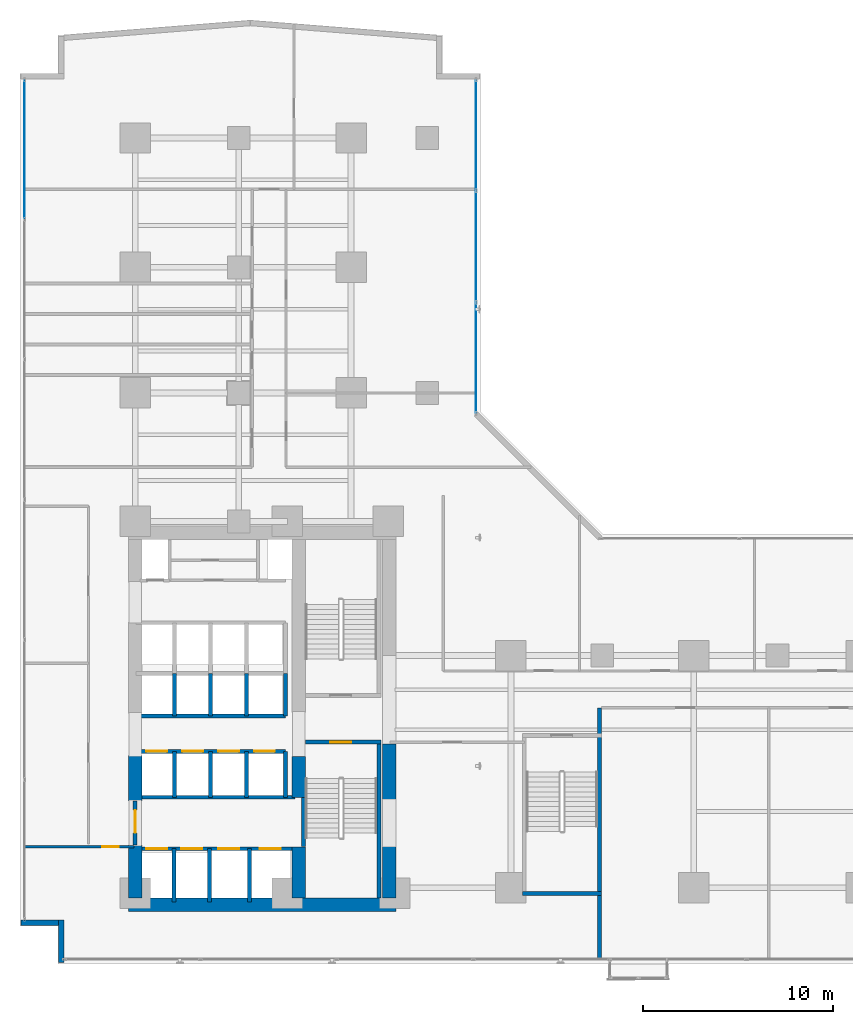
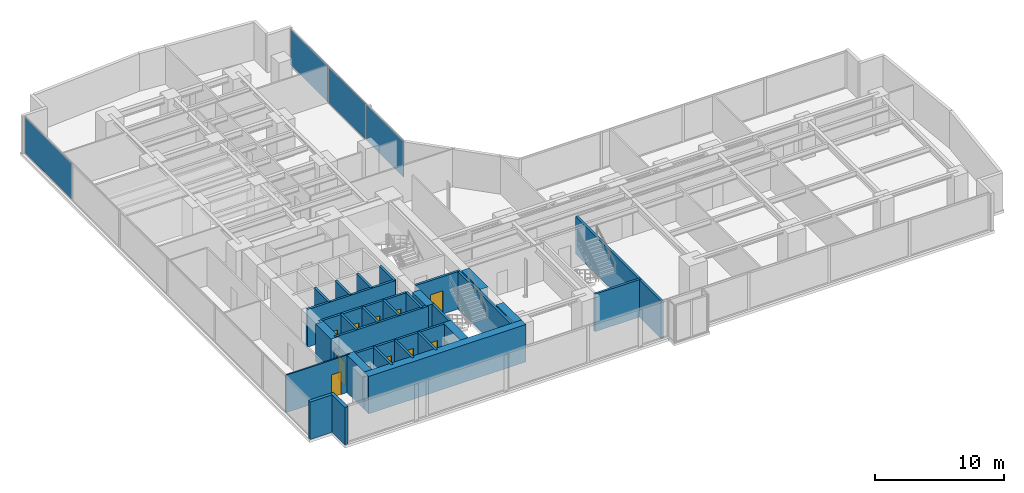
# One storey, part 23 of 30: 31 walls, 11 doors, 4 plates, 11 openings, 2 elements without a shape of their own.
"""IFC4 building model written with IfcOpenShell, lengths in metres."""

from ifc_helpers import new_model, si_unit, direction, frame, frame_2d, origin, origin_with_axes, origin_2d, place, context, subcontext, project, spatial, rectangle, extrude, source, transform, mapped, material, layer, layer_set, type_object, element, fill, aggregate, save


model = new_model("IFC4")

# Units and contexts
model_context = context("Model", 3, precision=1e-05, world=origin(), true_north=direction((0.0, 1.0)))
body_context = subcontext(model_context, "Body", "Model", "MODEL_VIEW")
ifc_project = project(units=[si_unit("LENGTHUNIT", "METRE"), si_unit("AREAUNIT", "SQUARE_METRE"), si_unit("VOLUMEUNIT", "CUBIC_METRE"), si_unit("PLANEANGLEUNIT", "RADIAN"), si_unit("MASSUNIT", "GRAM", prefix="KILO")], contexts=[model_context])

# Site, building, storey
site_placement = place(None, origin())
site = spatial("IfcSite", under=ifc_project, at=site_placement, CompositionType="ELEMENT")
building_placement = place(site_placement, origin())
building = spatial("IfcBuilding", under=site, at=building_placement, Name="Kolvaren Waterfront Exchange", CompositionType="ELEMENT")
storey_placement = place(building_placement, frame((0.0, 0.0, 52.39990234375)))
storey = spatial("IfcBuildingStorey", under=building, at=storey_placement, Name="L13", CompositionType="ELEMENT", Elevation=52.39990234375)

# Curtain wall, plate
ifc_material_1 = material(Name="Anodised aluminium 6063-T6", Category="aluminium")
ifc_layer_1 = layer(ifc_material_1, 0.219970703125, Name="Anodised aluminium 6063-T6")
ifc_layer_set_1 = layer_set([ifc_layer_1], Name="Anodised aluminium 6063-T6")
curtain_wall_type_1 = type_object("IfcCurtainWallType", Name="ARC-CW-SYS2", PredefinedType="USERDEFINED", material=ifc_layer_set_1)
curtain_wall_1_placement = place(storey_placement, origin())
curtain_wall_1 = element("IfcCurtainWall", 1, at=curtain_wall_1_placement, inside=storey, type_object=curtain_wall_type_1, Name="L13 stick curtain wall CW2 (CW-L13-W)", ObjectType="STICK CURTAIN WALL", PredefinedType="USERDEFINED")
ifc_material_2 = material(Name="Acoustic laminated vision glass", Category="glass")
ifc_layer_2 = layer(ifc_material_2, 0.031982421875, Name="Acoustic laminated vision glass")
ifc_layer_set_2 = layer_set([ifc_layer_2], Name="Acoustic laminated vision glass")
plate_type_1 = type_object("IfcPlateType", Name="ARC-CWP-32", PredefinedType="CURTAIN_PANEL", material=ifc_layer_set_2)
shared_shape_1 = source(origin_with_axes(), body_context, "Body", "SweptSolid", [
    extrude(rectangle(XDim=7.24658203125, YDim=0.031982421875, at=origin_2d()), origin(), (0.0, 0.0, 1.0), 3.389892578125),
])
plate_1_placement = place(storey_placement, frame((1.639892578125, 43.99658203125, 0.0751953125), z_axis=(0.0, 0.0, 1.0), x_axis=(0.0, 1.0, 0.0)))
plate_1 = element("IfcPlate", 2, at=plate_1_placement, type_object=plate_type_1, Name="CW2 panel 6.1", PredefinedType="CURTAIN_PANEL", context=body_context, shape_type="MappedRepresentation", body=[
    mapped(shared_shape_1, transform((0.0, 0.0, 0.0), x_axis=(1.0, 0.0, 0.0), y_axis=(0.0, 1.0, 0.0), z_axis=(0.0, 0.0, 1.0), scale=1.0)),
])
aggregate(curtain_wall_1, [plate_1])

# Curtain wall, plates
ifc_material_3 = material(Name="Anodised bronze aluminium 6063-T6", Category="aluminium")
ifc_layer_3 = layer(ifc_material_3, 0.219970703125, Name="Anodised bronze aluminium 6063-T6")
ifc_layer_set_3 = layer_set([ifc_layer_3], Name="Anodised bronze aluminium 6063-T6")
curtain_wall_type_2 = type_object("IfcCurtainWallType", Name="ARC-CW-SYS1", PredefinedType="USERDEFINED", material=ifc_layer_set_3)
curtain_wall_2_placement = place(storey_placement, origin())
curtain_wall_2 = element("IfcCurtainWall", 3, at=curtain_wall_2_placement, inside=storey, type_object=curtain_wall_type_2, Name="L13 stick curtain wall CW1 (CW-L13-NE)", ObjectType="STICK CURTAIN WALL", PredefinedType="USERDEFINED")
ifc_material_4 = material(Name="Bronze solar control vision glass", Category="aluminium")
ifc_layer_4 = layer(ifc_material_4, 0.028076171875, Name="Bronze solar control vision glass")
ifc_layer_set_4 = layer_set([ifc_layer_4], Name="Bronze solar control vision glass")
plate_type_2 = type_object("IfcPlateType", Name="ARC-CWP-28", PredefinedType="CURTAIN_PANEL", material=ifc_layer_set_4)
shared_shape_2 = source(origin_with_axes(), body_context, "Body", "SweptSolid", [
    extrude(rectangle(XDim=5.75, YDim=0.028076171875, at=origin_2d()), origin(), (0.0, 0.0, 1.0), 3.389892578125),
])
plate_2_placement = place(storey_placement, frame((25.360107421875, 33.044921875, 0.0751953125), z_axis=(0.0, 0.0, 1.0), x_axis=(0.0, 1.0, 0.0)))
plate_2 = element("IfcPlate", 4, at=plate_2_placement, type_object=plate_type_2, Name="CW1 panel 1.1", PredefinedType="CURTAIN_PANEL", context=body_context, shape_type="MappedRepresentation", body=[
    mapped(shared_shape_2, transform((0.0, 0.0, 0.0), x_axis=(1.0, 0.0, 0.0), y_axis=(0.0, 1.0, 0.0), z_axis=(0.0, 0.0, 1.0), scale=1.0)),
])
plate_3_placement = place(storey_placement, frame((25.360107421875, 44.7451171875, 0.0751953125), z_axis=(0.0, 0.0, 1.0), x_axis=(0.0, 1.0, 0.0)))
plate_3 = element("IfcPlate", 5, at=plate_3_placement, type_object=plate_type_2, Name="CW1 panel 3.1", PredefinedType="CURTAIN_PANEL", context=body_context, shape_type="MappedRepresentation", body=[
    mapped(shared_shape_2, transform((0.0, 0.0, 0.0), x_axis=(1.0, 0.0, 0.0), y_axis=(0.0, 1.0, 0.0), z_axis=(0.0, 0.0, 1.0), scale=1.0)),
])
shared_shape_3 = source(origin_with_axes(), body_context, "Body", "SweptSolid", [
    extrude(rectangle(XDim=5.7900390625, YDim=0.028076171875, at=origin_2d()), origin(), (0.0, 0.0, 1.0), 3.389892578125),
])
plate_4_placement = place(storey_placement, frame((25.360107421875, 38.89501953125, 0.0751953125), z_axis=(0.0, 0.0, 1.0), x_axis=(0.0, 1.0, 0.0)))
plate_4 = element("IfcPlate", 6, at=plate_4_placement, type_object=plate_type_2, Name="CW1 panel 2.1", PredefinedType="CURTAIN_PANEL", context=body_context, shape_type="MappedRepresentation", body=[
    mapped(shared_shape_3, transform((0.0, 0.0, 0.0), x_axis=(1.0, 0.0, 0.0), y_axis=(0.0, 1.0, 0.0), z_axis=(0.0, 0.0, 1.0), scale=1.0)),
])
aggregate(curtain_wall_2, [plate_2, plate_4, plate_3])

# Walls
ifc_material_5 = material(Name="Precast concrete C40/50", Category="concrete")
ifc_layer_5 = layer(ifc_material_5, 0.280029296875, Name="Precast concrete C40/50")
ifc_layer_set_5 = layer_set([ifc_layer_5], Name="Precast concrete C40/50")
wall_type_1 = type_object("IfcWallType", Name="ARC-EXT-TERR-280", PredefinedType="SOLIDWALL", material=ifc_layer_set_5)
wall_1_placement = place(storey_placement, frame((3.56005859375, 1.260009765625, 0.0), z_axis=(0.0, 0.0, 1.0), x_axis=(0.0, 1.0, 0.0)))
element("IfcWall", 7, at=wall_1_placement, inside=storey, type_object=wall_type_1, Name="L13 notched corner spandrel pier SW-A", PredefinedType="SOLIDWALL", context=body_context, shape_type="SweptSolid", body=[
    extrude(rectangle(XDim=2.239990234375, YDim=0.280029296875, at=frame_2d((1.1201171875, 0.0))), origin(), (0.0, 0.0, 1.0), 3.5400390625),
])
wall_2_placement = place(storey_placement, frame((1.4599609375, 3.360107421875, 0.0), z_axis=(0.0, 0.0, 1.0), x_axis=(1.0, 0.0, 0.0)))
element("IfcWall", 8, at=wall_2_placement, inside=storey, type_object=wall_type_1, Name="L13 notched corner spandrel pier SW-B", PredefinedType="SOLIDWALL", context=body_context, shape_type="SweptSolid", body=[
    extrude(rectangle(XDim=1.9599609375, YDim=0.280029296875, at=frame_2d((0.97998046875, 0.0))), origin(), (0.0, 0.0, 1.0), 3.5400390625),
])

# Wall, opening, door
ifc_layer_6 = layer(ifc_material_5, 0.199951171875, Name="Precast concrete C40/50")
ifc_layer_set_6 = layer_set([ifc_layer_6], Name="Precast concrete C40/50")
wall_type_2 = type_object("IfcWallType", Name="ARC-FIRE-200", PredefinedType="PARTITIONING", material=ifc_layer_set_6)
wall_3_placement = place(storey_placement, frame((16.39990234375, 12.85009765625, 0.0), z_axis=(0.0, 0.0, 1.0), x_axis=(1.0, 0.0, 0.0)))
wall_3 = element("IfcWall", 9, at=wall_3_placement, inside=storey, type_object=wall_type_2, Name="L13 interior wall PW-L13-ST1-THROAT-S", PredefinedType="PARTITIONING", context=body_context, shape_type="SweptSolid", body=[
    extrude(rectangle(XDim=3.960205078125, YDim=0.199951171875, at=frame_2d((1.97998046875, 0.0))), origin(), (0.0, 0.0, 1.0), 3.5400390625),
])
opening_1_placement = place(wall_3_placement, frame((1.3037109375, 0.0, 0.0)))
opening_1 = element("IfcOpeningElement", 10, at=opening_1_placement, cuts=wall_3, Name="Opening FD2", PredefinedType="OPENING", context=body_context, shape_type="SweptSolid", body=[
    extrude(rectangle(XDim=1.10009765625, YDim=2.199951171875, at=frame_2d((0.550048828125, 1.10009765625))), frame((0.0, 0.10986328125, 0.0), z_axis=(0.0, -1.0, 0.0), x_axis=(1.0, 0.0, 0.0)), (0.0, 0.0, 1.0), 0.219970703125),
])
ifc_material_6 = material(Name="Pressed steel smoke-seal fire door", Category="steel")
door_type_1 = type_object("IfcDoorType", Name="ARC-FD-1100", OperationType="NOTDEFINED", PredefinedType="DOOR", material=ifc_material_6)
door_1_placement = place(opening_1_placement, frame((1.10009765625, 0.0, 0.0), z_axis=(0.0, 0.0, 1.0), x_axis=(-1.0, 0.0, 0.0)))
door_1 = element("IfcDoor", 11, at=door_1_placement, inside=storey, type_object=door_type_1, Name="L13 door DR-L13-ST1-IN (FD2)", OperationType="SINGLE_SWING_RIGHT", OverallHeight=2.199951171875, OverallWidth=1.10009765625, PredefinedType="DOOR", context=body_context, shape_type="SweptSolid", body=[
    extrude(rectangle(XDim=1.10009765625, YDim=2.199951171875, at=frame_2d((0.550048828125, 1.10009765625))), frame((0.0, 0.02490234375, 0.0), z_axis=(0.0, -1.0, 0.0), x_axis=(1.0, 0.0, 0.0)), (0.0, 0.0, 1.0), 0.050048828125),
])
fill(opening_1, door_1)

# Wall
wall_4_placement = place(storey_placement, frame((7.5, 9.949951171875, 0.0), z_axis=(0.0, 0.0, 1.0), x_axis=(1.0, 0.0, 0.0)))
element("IfcWall", 12, at=wall_4_placement, inside=storey, type_object=wall_type_2, Name="L13 interior wall PW-L13-FF-N", PredefinedType="PARTITIONING", context=body_context, shape_type="SweptSolid", body=[
    extrude(rectangle(XDim=8.35009765625, YDim=0.199951171875, at=frame_2d((4.175048828125, 0.0))), origin(), (0.0, 0.0, 1.0), 3.5400390625),
])

# Wall, opening, door
wall_5_placement = place(storey_placement, frame((7.449951171875, 7.449951171875, 0.0), z_axis=(0.0, 0.0, 1.0), x_axis=(0.0, 1.0, 0.0)))
wall_5 = element("IfcWall", 13, at=wall_5_placement, inside=storey, type_object=wall_type_2, Name="L13 interior wall PW-L13-FF-W-DOOR", PredefinedType="PARTITIONING", context=body_context, shape_type="SweptSolid", body=[
    extrude(rectangle(XDim=2.300048828125, YDim=0.199951171875, at=frame_2d((1.14990234375, 0.0))), origin(), (0.0, 0.0, 1.0), 2.52001953125),
])
opening_2_placement = place(wall_5_placement, frame((0.63330078125, 0.0, 0.0)))
opening_2 = element("IfcOpeningElement", 14, at=opening_2_placement, cuts=wall_5, Name="Opening FD3", PredefinedType="OPENING", context=body_context, shape_type="SweptSolid", body=[
    extrude(rectangle(XDim=1.199951171875, YDim=2.25, at=frame_2d((0.60009765625, 1.125))), frame((0.0, 0.10986328125, 0.0), z_axis=(0.0, -1.0, 0.0), x_axis=(1.0, 0.0, 0.0)), (0.0, 0.0, 1.0), 0.219970703125),
])
ifc_material_7 = material(Name="Pressed steel fire door", Category="steel")
door_type_2 = type_object("IfcDoorType", Name="ARC-FD-1200", OperationType="NOTDEFINED", PredefinedType="DOOR", material=ifc_material_7)
door_2_placement = place(opening_2_placement, frame((1.199951171875, 0.0, 0.0), z_axis=(0.0, 0.0, 1.0), x_axis=(-1.0, 0.0, 0.0)))
door_2 = element("IfcDoor", 15, at=door_2_placement, inside=storey, type_object=door_type_2, Name="L13 door DR-L13-FF-OUT (FD3)", OperationType="SINGLE_SWING_LEFT", OverallHeight=2.25, OverallWidth=1.199951171875, PredefinedType="DOOR", context=body_context, shape_type="SweptSolid", body=[
    extrude(rectangle(XDim=1.199951171875, YDim=2.25, at=frame_2d((0.60009765625, 1.125))), frame((0.0, 0.02490234375, 0.0), z_axis=(0.0, -1.0, 0.0), x_axis=(1.0, 0.0, 0.0)), (0.0, 0.0, 1.0), 0.050048828125),
])
fill(opening_2, door_2)

ifc_material_8 = material(Name="Acoustic gypsum steel stud", Category="steel")
ifc_layer_7 = layer(ifc_material_8, 0.125, Name="Acoustic gypsum steel stud")
ifc_layer_set_7 = layer_set([ifc_layer_7], Name="Acoustic gypsum steel stud")
wall_type_3 = type_object("IfcWallType", Name="ARC-PART-125", PredefinedType="PARTITIONING", material=ifc_layer_set_7)
wall_6_placement = place(storey_placement, frame((1.639892578125, 7.35009765625, 0.0), z_axis=(0.0, 0.0, 1.0), x_axis=(1.0, 0.0, 0.0)))
wall_6 = element("IfcWall", 16, at=wall_6_placement, inside=storey, type_object=wall_type_3, Name="L13 interior wall PW-L13-SWC-N", PredefinedType="PARTITIONING", context=body_context, shape_type="SweptSolid", body=[
    extrude(rectangle(XDim=5.760009765625, YDim=0.125, at=frame_2d((2.8798828125, 0.0))), origin(), (0.0, 0.0, 1.0), 3.5400390625),
])
opening_3_placement = place(wall_6_placement, frame((4.086669921875, 0.0, 0.0)))
opening_3 = element("IfcOpeningElement", 17, at=opening_3_placement, cuts=wall_6, Name="Opening D01", PredefinedType="OPENING", context=body_context, shape_type="SweptSolid", body=[
    extrude(rectangle(XDim=0.85009765625, YDim=2.14990234375, at=frame_2d((0.425048828125, 1.074951171875))), frame((0.0, 0.072509765625, 0.0), z_axis=(0.0, -1.0, 0.0), x_axis=(1.0, 0.0, 0.0)), (0.0, 0.0, 1.0), 0.14501953125),
])
ifc_material_9 = material(Name="Oak veneer timber leaf", Category="wood")
door_type_3 = type_object("IfcDoorType", Name="ARC-DR-900", OperationType="NOTDEFINED", PredefinedType="DOOR", material=ifc_material_9)
door_3_placement = place(opening_3_placement, origin())
door_3 = element("IfcDoor", 18, at=door_3_placement, inside=storey, type_object=door_type_3, Name="L13 door DR-L13-SWC-D (D01)", OperationType="SINGLE_SWING_LEFT", OverallHeight=2.14990234375, OverallWidth=0.85009765625, PredefinedType="DOOR", context=body_context, shape_type="SweptSolid", body=[
    extrude(rectangle(XDim=0.85009765625, YDim=2.14990234375, at=frame_2d((0.425048828125, 1.074951171875))), frame((0.0, 0.02490234375, 0.0), z_axis=(0.0, -1.0, 0.0), x_axis=(1.0, 0.0, 0.0)), (0.0, 0.0, 1.0), 0.050048828125),
])
fill(opening_3, door_3)

# Walls
ifc_material_10 = material(Name="Concrete C40/50", Category="concrete")
ifc_layer_8 = layer(ifc_material_10, 0.199951171875, Name="Concrete C40/50")
ifc_layer_set_8 = layer_set([ifc_layer_8], Name="Concrete C40/50")
wall_type_4 = type_object("IfcWallType", Name="ARC-SHAFT-200", PredefinedType="PARTITIONING", material=ifc_layer_set_8)
wall_7_placement = place(storey_placement, frame((16.300048828125, 7.360107421875, 0.0), z_axis=(0.0, 0.0, 1.0), x_axis=(0.0, 1.0, 0.0)))
element("IfcWall", 19, at=wall_7_placement, inside=storey, type_object=wall_type_4, Name="L13 structural stairwell wall PW-L13-ST1-W", PredefinedType="SHEAR", context=body_context, shape_type="SweptSolid", body=[
    extrude(rectangle(XDim=2.579833984375, YDim=0.199951171875, at=frame_2d((1.2900390625, 0.0))), origin(), (0.0, 0.0, 1.0), 3.5400390625),
])
wall_8_placement = place(storey_placement, frame((20.260009765625, 4.659912109375, 0.0), z_axis=(0.0, 0.0, 1.0), x_axis=(0.0, 1.0, 0.0)))
element("IfcWall", 20, at=wall_8_placement, inside=storey, type_object=wall_type_4, Name="L13 structural stairwell wall PW-L13-ST1-E", PredefinedType="SHEAR", context=body_context, shape_type="SweptSolid", body=[
    extrude(rectangle(XDim=8.090087890625, YDim=0.199951171875, at=frame_2d((4.044921875, 0.0))), origin(), (0.0, 0.0, 1.0), 3.5400390625),
])
wall_9_placement = place(storey_placement, frame((31.860107421875, 1.43994140625, 0.0), z_axis=(0.0, 0.0, 1.0), x_axis=(0.0, 1.0, 0.0)))
element("IfcWall", 21, at=wall_9_placement, inside=storey, type_object=wall_type_4, Name="L13 structural stairwell wall PW-L13-ST3-E", PredefinedType="SHEAR", context=body_context, shape_type="SweptSolid", body=[
    extrude(rectangle(XDim=13.2099609375, YDim=0.199951171875, at=frame_2d((6.60498046875, 0.0))), origin(), (0.0, 0.0, 1.0), 3.5400390625),
])
wall_10_placement = place(storey_placement, frame((27.800048828125, 4.89990234375, 0.0), z_axis=(0.0, 0.0, 1.0), x_axis=(1.0, 0.0, 0.0)))
element("IfcWall", 22, at=wall_10_placement, inside=storey, type_object=wall_type_4, Name="L13 structural stairwell wall PW-L13-ST3-S", PredefinedType="SHEAR", context=body_context, shape_type="SweptSolid", body=[
    extrude(rectangle(XDim=4.159912109375, YDim=0.199951171875, at=frame_2d((2.080078125, 0.0))), origin(), (0.0, 0.0, 1.0), 3.5400390625),
])

# Wall, openings, doors
wall_11_placement = place(storey_placement, frame((7.5, 7.25, 0.0), z_axis=(0.0, 0.0, 1.0), x_axis=(1.0, 0.0, 0.0)))
wall_11 = element("IfcWall", 23, at=wall_11_placement, inside=storey, type_object=wall_type_4, Name="L13 interior wall PW-L13-FF-S", PredefinedType="PARTITIONING", context=body_context, shape_type="SweptSolid", body=[
    extrude(rectangle(XDim=8.35009765625, YDim=0.199951171875, at=frame_2d((4.175048828125, 0.0))), origin(), (0.0, 0.0, 1.0), 3.5400390625),
])
opening_4_placement = place(wall_11_placement, frame((0.530029296875, 0.0, 0.0)))
opening_4 = element("IfcOpeningElement", 24, at=opening_4_placement, cuts=wall_11, Name="Opening LD1", PredefinedType="OPENING", context=body_context, shape_type="SweptSolid", body=[
    extrude(rectangle(XDim=1.10009765625, YDim=2.199951171875, at=frame_2d((0.550048828125, 1.10009765625))), frame((0.0, 0.10986328125, 0.0), z_axis=(0.0, -1.0, 0.0), x_axis=(1.0, 0.0, 0.0)), (0.0, 0.0, 1.0), 0.219970703125),
])
opening_5_placement = place(wall_11_placement, frame((2.3701171875, 0.0, 0.0)))
opening_5 = element("IfcOpeningElement", 25, at=opening_5_placement, cuts=wall_11, Name="Opening LD1", PredefinedType="OPENING", context=body_context, shape_type="SweptSolid", body=[
    extrude(rectangle(XDim=1.10009765625, YDim=2.199951171875, at=frame_2d((0.550048828125, 1.10009765625))), frame((0.0, 0.10986328125, 0.0), z_axis=(0.0, -1.0, 0.0), x_axis=(1.0, 0.0, 0.0)), (0.0, 0.0, 1.0), 0.219970703125),
])
opening_6_placement = place(wall_11_placement, frame((4.330078125, 0.0, 0.0)))
opening_6 = element("IfcOpeningElement", 26, at=opening_6_placement, cuts=wall_11, Name="Opening LD1", PredefinedType="OPENING", context=body_context, shape_type="SweptSolid", body=[
    extrude(rectangle(XDim=1.10009765625, YDim=2.199951171875, at=frame_2d((0.550048828125, 1.10009765625))), frame((0.0, 0.10986328125, 0.0), z_axis=(0.0, -1.0, 0.0), x_axis=(1.0, 0.0, 0.0)), (0.0, 0.0, 1.0), 0.219970703125),
])
opening_7_placement = place(wall_11_placement, frame((6.5, 0.0, 0.0)))
opening_7 = element("IfcOpeningElement", 27, at=opening_7_placement, cuts=wall_11, Name="Opening LD1", PredefinedType="OPENING", context=body_context, shape_type="SweptSolid", body=[
    extrude(rectangle(XDim=1.10009765625, YDim=2.199951171875, at=frame_2d((0.550048828125, 1.10009765625))), frame((0.0, 0.10986328125, 0.0), z_axis=(0.0, -1.0, 0.0), x_axis=(1.0, 0.0, 0.0)), (0.0, 0.0, 1.0), 0.219970703125),
])
ifc_material_11 = material(Name="Stainless steel sliding landing door", Category="steel")
door_type_4 = type_object("IfcDoorType", Name="ARC-LD-FF", OperationType="SLIDING_TO_LEFT", PredefinedType="DOOR", material=ifc_material_11)
door_4_placement = place(opening_4_placement, origin())
door_4 = element("IfcDoor", 28, at=door_4_placement, inside=storey, type_object=door_type_4, Name="L13 door LD-L13-FFL1 (LD1)", OperationType="SLIDING_TO_LEFT", OverallHeight=2.199951171875, OverallWidth=1.10009765625, PredefinedType="DOOR", context=body_context, shape_type="SweptSolid", body=[
    extrude(rectangle(XDim=1.10009765625, YDim=2.199951171875, at=frame_2d((0.550048828125, 1.10009765625))), frame((0.0, 0.02490234375, 0.0), z_axis=(0.0, -1.0, 0.0), x_axis=(1.0, 0.0, 0.0)), (0.0, 0.0, 1.0), 0.050048828125),
])
fill(opening_4, door_4)
door_5_placement = place(opening_5_placement, origin())
door_5 = element("IfcDoor", 29, at=door_5_placement, inside=storey, type_object=door_type_4, Name="L13 door LD-L13-FFL2 (LD1)", OperationType="SLIDING_TO_LEFT", OverallHeight=2.199951171875, OverallWidth=1.10009765625, PredefinedType="DOOR", context=body_context, shape_type="SweptSolid", body=[
    extrude(rectangle(XDim=1.10009765625, YDim=2.199951171875, at=frame_2d((0.550048828125, 1.10009765625))), frame((0.0, 0.02490234375, 0.0), z_axis=(0.0, -1.0, 0.0), x_axis=(1.0, 0.0, 0.0)), (0.0, 0.0, 1.0), 0.050048828125),
])
fill(opening_5, door_5)
door_6_placement = place(opening_6_placement, origin())
door_6 = element("IfcDoor", 30, at=door_6_placement, inside=storey, type_object=door_type_4, Name="L13 door LD-L13-GL1 (LD1)", OperationType="SLIDING_TO_LEFT", OverallHeight=2.199951171875, OverallWidth=1.10009765625, PredefinedType="DOOR", context=body_context, shape_type="SweptSolid", body=[
    extrude(rectangle(XDim=1.10009765625, YDim=2.199951171875, at=frame_2d((0.550048828125, 1.10009765625))), frame((0.0, 0.02490234375, 0.0), z_axis=(0.0, -1.0, 0.0), x_axis=(1.0, 0.0, 0.0)), (0.0, 0.0, 1.0), 0.050048828125),
])
fill(opening_6, door_6)
door_7_placement = place(opening_7_placement, origin())
door_7 = element("IfcDoor", 31, at=door_7_placement, inside=storey, type_object=door_type_4, Name="L13 door LD-L13-GL2 (LD1)", OperationType="SLIDING_TO_LEFT", OverallHeight=2.199951171875, OverallWidth=1.10009765625, PredefinedType="DOOR", context=body_context, shape_type="SweptSolid", body=[
    extrude(rectangle(XDim=1.10009765625, YDim=2.199951171875, at=frame_2d((0.550048828125, 1.10009765625))), frame((0.0, 0.02490234375, 0.0), z_axis=(0.0, -1.0, 0.0), x_axis=(1.0, 0.0, 0.0)), (0.0, 0.0, 1.0), 0.050048828125),
])
fill(opening_7, door_7)

# Walls
for number, where, z_axis, x_axis, name in (
    (32, (9.5, 4.449951171875, 0.0), (0.0, 0.0, 1.0), (0.0, 1.0, 0.0), "L13 interior wall PW-L13-SH1-DIV-95"),
    (33, (11.360107421875, 4.449951171875, 0.0), (0.0, 0.0, 1.0), (0.0, 1.0, 0.0), "L13 interior wall PW-L13-SH1-DIV-113"),
    (34, (13.4599609375, 4.449951171875, 0.0), (0.0, 0.0, 1.0), (0.0, 1.0, 0.0), "L13 interior wall PW-L13-SH1-DIV-134"),
):
    element("IfcWall", number, at=place(storey_placement, frame(where, z_axis=z_axis, x_axis=x_axis)), inside=storey, type_object=wall_type_4, Name=name, PredefinedType="PARTITIONING", context=body_context, shape_type="SweptSolid", body=[
        extrude(rectangle(XDim=2.800048828125, YDim=0.199951171875, at=frame_2d((1.39990234375, 0.0))), origin(), (0.0, 0.0, 1.0), 3.5400390625),
    ])

# Wall, openings, doors
wall_12_placement = place(storey_placement, frame((7.5, 12.360107421875, 0.0), z_axis=(0.0, 0.0, 1.0), x_axis=(1.0, 0.0, 0.0)))
wall_12 = element("IfcWall", 35, at=wall_12_placement, inside=storey, type_object=wall_type_4, Name="L13 interior wall PW-L13-PL-N", PredefinedType="PARTITIONING", context=body_context, shape_type="SweptSolid", body=[
    extrude(rectangle(XDim=7.85009765625, YDim=0.199951171875, at=frame_2d((3.925048828125, 0.0))), origin(), (0.0, 0.0, 1.0), 3.5400390625),
])
opening_8_placement = place(wall_12_placement, frame((0.530029296875, 0.0, 0.0)))
opening_8 = element("IfcOpeningElement", 36, at=opening_8_placement, cuts=wall_12, Name="Opening LD2", PredefinedType="OPENING", context=body_context, shape_type="SweptSolid", body=[
    extrude(rectangle(XDim=1.10009765625, YDim=2.199951171875, at=frame_2d((0.550048828125, 1.10009765625))), frame((0.0, 0.10986328125, 0.0), z_axis=(0.0, -1.0, 0.0), x_axis=(1.0, 0.0, 0.0)), (0.0, 0.0, 1.0), 0.219970703125),
])
opening_9_placement = place(wall_12_placement, frame((2.419921875, 0.0, 0.0)))
opening_9 = element("IfcOpeningElement", 37, at=opening_9_placement, cuts=wall_12, Name="Opening LD2", PredefinedType="OPENING", context=body_context, shape_type="SweptSolid", body=[
    extrude(rectangle(XDim=1.10009765625, YDim=2.199951171875, at=frame_2d((0.550048828125, 1.10009765625))), frame((0.0, 0.10986328125, 0.0), z_axis=(0.0, -1.0, 0.0), x_axis=(1.0, 0.0, 0.0)), (0.0, 0.0, 1.0), 0.219970703125),
])
opening_10_placement = place(wall_12_placement, frame((4.31005859375, 0.0, 0.0)))
opening_10 = element("IfcOpeningElement", 38, at=opening_10_placement, cuts=wall_12, Name="Opening LD2", PredefinedType="OPENING", context=body_context, shape_type="SweptSolid", body=[
    extrude(rectangle(XDim=1.10009765625, YDim=2.199951171875, at=frame_2d((0.550048828125, 1.10009765625))), frame((0.0, 0.10986328125, 0.0), z_axis=(0.0, -1.0, 0.0), x_axis=(1.0, 0.0, 0.0)), (0.0, 0.0, 1.0), 0.219970703125),
])
opening_11_placement = place(wall_12_placement, frame((6.199951171875, 0.0, 0.0)))
opening_11 = element("IfcOpeningElement", 39, at=opening_11_placement, cuts=wall_12, Name="Opening LD2", PredefinedType="OPENING", context=body_context, shape_type="SweptSolid", body=[
    extrude(rectangle(XDim=1.10009765625, YDim=2.199951171875, at=frame_2d((0.550048828125, 1.10009765625))), frame((0.0, 0.10986328125, 0.0), z_axis=(0.0, -1.0, 0.0), x_axis=(1.0, 0.0, 0.0)), (0.0, 0.0, 1.0), 0.219970703125),
])
ifc_material_12 = material(Name="Brushed bronze sliding landing door", Category="aluminium")
door_type_5 = type_object("IfcDoorType", Name="ARC-LD-PAX", OperationType="SLIDING_TO_LEFT", PredefinedType="DOOR", material=ifc_material_12)
door_8_placement = place(opening_8_placement, origin())
door_8 = element("IfcDoor", 40, at=door_8_placement, inside=storey, type_object=door_type_5, Name="L13 door LD-L13-PL1 (LD2)", OperationType="SLIDING_TO_LEFT", OverallHeight=2.199951171875, OverallWidth=1.10009765625, PredefinedType="DOOR", context=body_context, shape_type="SweptSolid", body=[
    extrude(rectangle(XDim=1.10009765625, YDim=2.199951171875, at=frame_2d((0.550048828125, 1.10009765625))), frame((0.0, 0.02490234375, 0.0), z_axis=(0.0, -1.0, 0.0), x_axis=(1.0, 0.0, 0.0)), (0.0, 0.0, 1.0), 0.050048828125),
])
fill(opening_8, door_8)
door_9_placement = place(opening_9_placement, origin())
door_9 = element("IfcDoor", 41, at=door_9_placement, inside=storey, type_object=door_type_5, Name="L13 door LD-L13-PL2 (LD2)", OperationType="SLIDING_TO_LEFT", OverallHeight=2.199951171875, OverallWidth=1.10009765625, PredefinedType="DOOR", context=body_context, shape_type="SweptSolid", body=[
    extrude(rectangle(XDim=1.10009765625, YDim=2.199951171875, at=frame_2d((0.550048828125, 1.10009765625))), frame((0.0, 0.02490234375, 0.0), z_axis=(0.0, -1.0, 0.0), x_axis=(1.0, 0.0, 0.0)), (0.0, 0.0, 1.0), 0.050048828125),
])
fill(opening_9, door_9)
door_10_placement = place(opening_10_placement, origin())
door_10 = element("IfcDoor", 42, at=door_10_placement, inside=storey, type_object=door_type_5, Name="L13 door LD-L13-PL3 (LD2)", OperationType="SLIDING_TO_LEFT", OverallHeight=2.199951171875, OverallWidth=1.10009765625, PredefinedType="DOOR", context=body_context, shape_type="SweptSolid", body=[
    extrude(rectangle(XDim=1.10009765625, YDim=2.199951171875, at=frame_2d((0.550048828125, 1.10009765625))), frame((0.0, 0.02490234375, 0.0), z_axis=(0.0, -1.0, 0.0), x_axis=(1.0, 0.0, 0.0)), (0.0, 0.0, 1.0), 0.050048828125),
])
fill(opening_10, door_10)
door_11_placement = place(opening_11_placement, origin())
door_11 = element("IfcDoor", 43, at=door_11_placement, inside=storey, type_object=door_type_5, Name="L13 door LD-L13-PL4 (LD2)", OperationType="SLIDING_TO_LEFT", OverallHeight=2.199951171875, OverallWidth=1.10009765625, PredefinedType="DOOR", context=body_context, shape_type="SweptSolid", body=[
    extrude(rectangle(XDim=1.10009765625, YDim=2.199951171875, at=frame_2d((0.550048828125, 1.10009765625))), frame((0.0, 0.02490234375, 0.0), z_axis=(0.0, -1.0, 0.0), x_axis=(1.0, 0.0, 0.0)), (0.0, 0.0, 1.0), 0.050048828125),
])
fill(opening_11, door_11)

# Walls
for number, where, z_axis, x_axis, name in (
    (44, (15.35009765625, 9.949951171875, 0.0), (0.0, 0.0, 1.0), (0.0, 1.0, 0.0), "L13 interior wall PW-L13-PL-E"),
    (45, (9.52001953125, 9.949951171875, 0.0), (0.0, 0.0, 1.0), (0.0, 1.0, 0.0), "L13 interior wall PW-L13-SH2-DIV-95"),
    (46, (11.409912109375, 9.949951171875, 0.0), (0.0, 0.0, 1.0), (0.0, 1.0, 0.0), "L13 interior wall PW-L13-SH2-DIV-114"),
    (47, (13.300048828125, 9.949951171875, 0.0), (0.0, 0.0, 1.0), (0.0, 1.0, 0.0), "L13 interior wall PW-L13-SH2-DIV-133"),
):
    element("IfcWall", number, at=place(storey_placement, frame(where, z_axis=z_axis, x_axis=x_axis)), inside=storey, type_object=wall_type_4, Name=name, PredefinedType="PARTITIONING", context=body_context, shape_type="SweptSolid", body=[
        extrude(rectangle(XDim=2.41015625, YDim=0.199951171875, at=frame_2d((1.205078125, 0.0))), origin(), (0.0, 0.0, 1.0), 3.5400390625),
    ])
wall_13_placement = place(storey_placement, frame((7.5, 14.219970703125, 0.0), z_axis=(0.0, 0.0, 1.0), x_axis=(1.0, 0.0, 0.0)))
element("IfcWall", 48, at=wall_13_placement, inside=storey, type_object=wall_type_4, Name="L13 interior wall PW-L13-PM-S", PredefinedType="PARTITIONING", context=body_context, shape_type="SweptSolid", body=[
    extrude(rectangle(XDim=7.85009765625, YDim=0.199951171875, at=frame_2d((3.925048828125, 0.0))), origin(), (0.0, 0.0, 1.0), 3.5400390625),
])
for number, where, z_axis, x_axis, name in (
    (49, (15.35009765625, 14.219970703125, 0.0), (0.0, 0.0, 1.0), (0.0, 1.0, 0.0), "L13 interior wall PW-L13-PM-E"),
    (50, (9.52001953125, 14.219970703125, 0.0), (0.0, 0.0, 1.0), (0.0, 1.0, 0.0), "L13 interior wall PW-L13-SH3-DIV-95"),
    (51, (11.409912109375, 14.219970703125, 0.0), (0.0, 0.0, 1.0), (0.0, 1.0, 0.0), "L13 interior wall PW-L13-SH3-DIV-114"),
    (52, (13.300048828125, 14.219970703125, 0.0), (0.0, 0.0, 1.0), (0.0, 1.0, 0.0), "L13 interior wall PW-L13-SH3-DIV-133"),
):
    element("IfcWall", number, at=place(storey_placement, frame(where, z_axis=z_axis, x_axis=x_axis)), inside=storey, type_object=wall_type_4, Name=name, PredefinedType="PARTITIONING", context=body_context, shape_type="SweptSolid", body=[
        extrude(rectangle(XDim=2.22998046875, YDim=0.199951171875, at=frame_2d((1.114990234375, 0.0))), origin(), (0.0, 0.0, 1.0), 3.5400390625),
    ])
ifc_material_13 = material(Name="Concrete C70/85", Category="concrete")
ifc_layer_9 = layer(ifc_material_13, 0.699951171875, Name="Concrete C70/85")
ifc_layer_set_9 = layer_set([ifc_layer_9], Name="Concrete C70/85")
wall_type_5 = type_object("IfcWallType", Name="STR-CWALL-700", PredefinedType="SHEAR", material=ifc_layer_set_9)
wall_14_placement = place(storey_placement, frame((7.10009765625, 4.300048828125, 0.0), z_axis=(0.0, 0.0, 1.0), x_axis=(1.0, 0.0, 0.0)))
element("IfcWall", 53, at=wall_14_placement, inside=storey, type_object=wall_type_5, Name="L13 rear-core shear wall S", PredefinedType="SHEAR", context=body_context, shape_type="SweptSolid", body=[
    extrude(rectangle(XDim=14.0498046875, YDim=0.699951171875, at=frame_2d((7.02490234375, 0.0))), origin(), (0.0, 0.0, 1.0), 3.5400390625),
])
wall_15_placement = place(storey_placement, frame((7.449951171875, 4.64990234375, 0.0), z_axis=(0.0, 0.0, 1.0), x_axis=(0.0, 1.0, 0.0)))
element("IfcWall", 54, at=wall_15_placement, inside=storey, type_object=wall_type_5, Name="L13 rear-core shear wall W1", PredefinedType="SHEAR", context=body_context, shape_type="SweptSolid", body=[
    extrude(rectangle(XDim=2.800048828125, YDim=0.699951171875, at=frame_2d((1.39990234375, 0.0))), origin(), (0.0, 0.0, 1.0), 3.5400390625),
])
wall_16_placement = place(storey_placement, frame((7.449951171875, 9.75, 0.0), z_axis=(0.0, 0.0, 1.0), x_axis=(0.0, 1.0, 0.0)))
element("IfcWall", 55, at=wall_16_placement, inside=storey, type_object=wall_type_5, Name="L13 rear-core shear wall W2A", PredefinedType="SHEAR", context=body_context, shape_type="SweptSolid", body=[
    extrude(rectangle(XDim=2.39990234375, YDim=0.699951171875, at=frame_2d((1.199951171875, 0.0))), origin(), (0.0, 0.0, 1.0), 3.5400390625),
])
wall_17_placement = place(storey_placement, frame((20.800048828125, 4.64990234375, 0.0), z_axis=(0.0, 0.0, 1.0), x_axis=(0.0, 1.0, 0.0)))
element("IfcWall", 56, at=wall_17_placement, inside=storey, type_object=wall_type_5, Name="L13 rear-core shear wall E1", PredefinedType="SHEAR", context=body_context, shape_type="SweptSolid", body=[
    extrude(rectangle(XDim=2.75, YDim=0.699951171875, at=frame_2d((1.375, 0.0))), origin(), (0.0, 0.0, 1.0), 3.5400390625),
])
wall_18_placement = place(storey_placement, frame((20.800048828125, 9.800048828125, 0.0), z_axis=(0.0, 0.0, 1.0), x_axis=(0.0, 1.0, 0.0)))
element("IfcWall", 57, at=wall_18_placement, inside=storey, type_object=wall_type_5, Name="L13 rear-core shear wall E2", PredefinedType="SHEAR", context=body_context, shape_type="SweptSolid", body=[
    extrude(rectangle(XDim=2.949951171875, YDim=0.699951171875, at=frame_2d((1.47509765625, 0.0))), origin(), (0.0, 0.0, 1.0), 3.5400390625),
])
wall_19_placement = place(storey_placement, frame((16.050048828125, 4.64990234375, 0.0), z_axis=(0.0, 0.0, 1.0), x_axis=(0.0, 1.0, 0.0)))
element("IfcWall", 58, at=wall_19_placement, inside=storey, type_object=wall_type_5, Name="L13 rear-core shear wall M1", PredefinedType="SHEAR", context=body_context, shape_type="SweptSolid", body=[
    extrude(rectangle(XDim=2.7001953125, YDim=0.699951171875, at=frame_2d((1.35009765625, 0.0))), origin(), (0.0, 0.0, 1.0), 3.5400390625),
])
wall_20_placement = place(storey_placement, frame((16.050048828125, 9.949951171875, 0.0), z_axis=(0.0, 0.0, 1.0), x_axis=(0.0, 1.0, 0.0)))
element("IfcWall", 59, at=wall_20_placement, inside=storey, type_object=wall_type_5, Name="L13 rear-core shear wall M2", PredefinedType="SHEAR", context=body_context, shape_type="SweptSolid", body=[
    extrude(rectangle(XDim=2.150146484375, YDim=0.699951171875, at=frame_2d((1.0751953125, 0.0))), origin(), (0.0, 0.0, 1.0), 3.5400390625),
])

save(model, "model.ifc")
